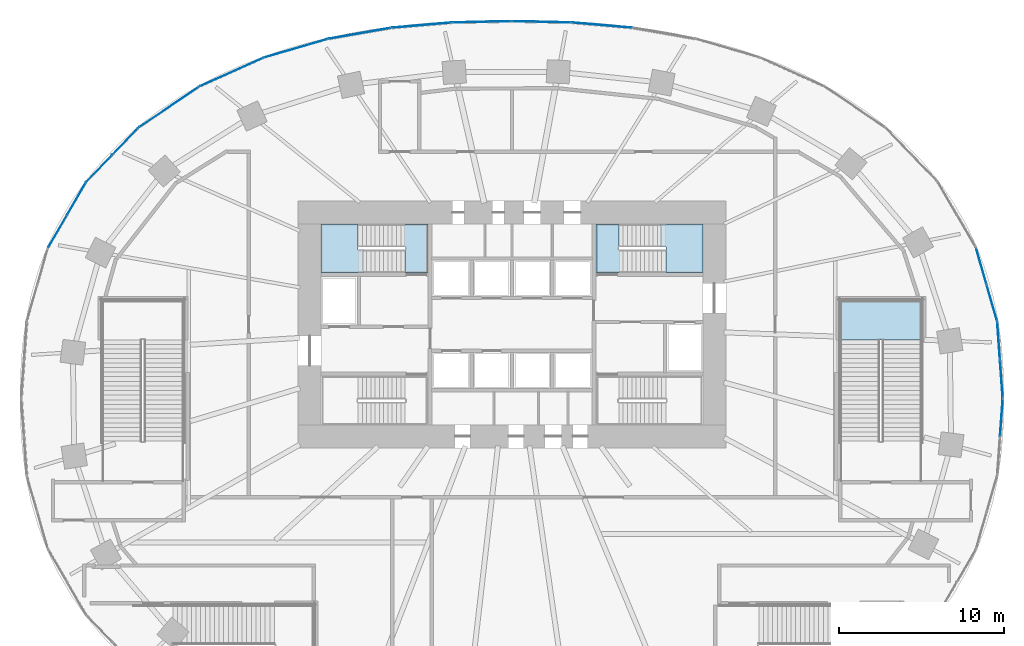
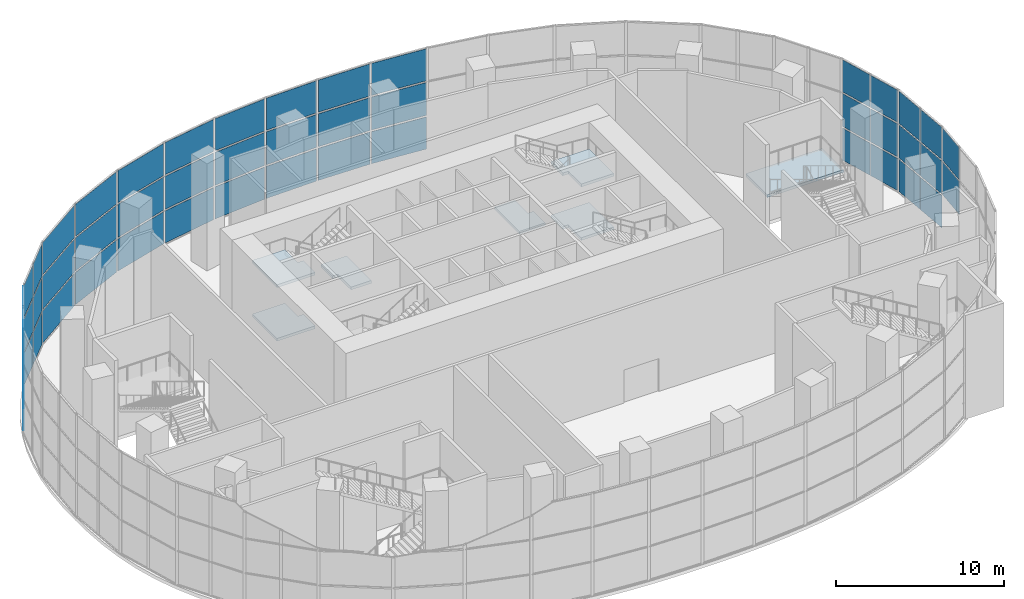
# One storey, part 12 of 22: 50 plates, 7 slabs, 16 elements without a shape of their own.
"""IFC4 building model written with IfcOpenShell, lengths in metres."""

from ifc_helpers import new_model, si_unit, direction, frame, origin, origin_2d, place, context, subcontext, project, spatial, polyline, rectangle, outline, extrude, material, layer, layer_set, type_object, element, aggregate, save


model = new_model("IFC4")

# Units and contexts
model_context = context("Model", 3, precision=1e-05, world=origin(), true_north=direction((0.0, 1.0)))
body_context = subcontext(model_context, "Body", "Model", "MODEL_VIEW")
ifc_project = project(units=[si_unit("LENGTHUNIT", "METRE"), si_unit("AREAUNIT", "SQUARE_METRE"), si_unit("VOLUMEUNIT", "CUBIC_METRE"), si_unit("PLANEANGLEUNIT", "RADIAN"), si_unit("MASSUNIT", "GRAM", prefix="KILO")], contexts=[model_context])

# Site, building, storey
site_placement = place(None, origin())
site = spatial("IfcSite", under=ifc_project, at=site_placement, CompositionType="ELEMENT")
building_placement = place(site_placement, origin())
building = spatial("IfcBuilding", under=site, at=building_placement, Name="Rubra Terraces Tower", CompositionType="ELEMENT")
storey_placement = place(building_placement, frame((0.0, 0.0, 7.199951171875)))
storey = spatial("IfcBuildingStorey", under=building, at=storey_placement, Name="L01", CompositionType="ELEMENT", Elevation=7.199951171875)

# Stair, slabs
ifc_material_1 = material(Name="Concrete C40", Category="concrete")
stair_type_1 = type_object("IfcStairType", Name="Core stair 1400", PredefinedType="HALF_TURN_STAIR", material=ifc_material_1)
stair_1_placement = place(storey_placement, origin())
stair_1 = element("IfcStair", 1, at=stair_1_placement, inside=storey, type_object=stair_type_1, Name="L01 Exit stair S2", PredefinedType="HALF_TURN_STAIR")
ifc_layer_1 = layer(ifc_material_1, 0.199951171875)
ifc_layer_set_1 = layer_set([ifc_layer_1], Name="Concrete C40")
slab_type_1 = type_object("IfcSlabType", Name="Core stair landing 200", PredefinedType="LANDING", material=ifc_layer_set_1)
slab_1_placement = place(storey_placement, frame((0.0, 0.0, 1.75)))
slab_1 = element("IfcSlab", 2, at=slab_1_placement, type_object=slab_type_1, Name="S2 landing 1", PredefinedType="LANDING", context=body_context, shape_type="SweptSolid", body=[
    extrude(outline(polyline([(-8.97998046875, 9.050048828125), (-8.97998046875, 7.64990234375), (-9.3798828125, 7.64990234375), (-11.60009765625, 7.64990234375), (-11.60009765625, 10.60009765625), (-9.3798828125, 10.60009765625), (-9.360107421875, 10.60009765625), (-9.35791015625, 10.60009765625), (-9.35791015625, 9.199951171875), (-9.360107421875, 9.199951171875), (-9.360107421875, 9.050048828125), (-8.97998046875, 9.050048828125)])), origin(), (0.0, 0.0, 1.0), 0.199951171875),
])
slab_2_placement = place(storey_placement, frame((0.0, 0.0, 3.699951171875)))
slab_2 = element("IfcSlab", 3, at=slab_2_placement, type_object=slab_type_1, Name="S2 landing 2", PredefinedType="LANDING", context=body_context, shape_type="SweptSolid", body=[
    extrude(outline(polyline([(-6.5, 9.050048828125), (-6.5, 9.199951171875), (-6.8798828125, 9.199951171875), (-6.8798828125, 10.60009765625), (-6.5, 10.60009765625), (-6.47998046875, 10.60009765625), (-5.10009765625, 10.60009765625), (-5.10009765625, 7.64990234375), (-6.47998046875, 7.64990234375), (-6.501953125, 7.64990234375), (-6.501953125, 9.050048828125), (-6.5, 9.050048828125)])), origin(), (0.0, 0.0, 1.0), 0.2001953125),
])
slab_3_placement = place(storey_placement, frame((0.0, 0.0, 5.650146484375)))
slab_3 = element("IfcSlab", 4, at=slab_3_placement, type_object=slab_type_1, Name="S2 landing 3", PredefinedType="LANDING", context=body_context, shape_type="SweptSolid", body=[
    extrude(outline(polyline([(-8.97998046875, 9.050048828125), (-8.97998046875, 7.64990234375), (-9.3798828125, 7.64990234375), (-11.60009765625, 7.64990234375), (-11.60009765625, 10.60009765625), (-9.3798828125, 10.60009765625), (-9.360107421875, 10.60009765625), (-9.35791015625, 10.60009765625), (-9.35791015625, 9.199951171875), (-9.360107421875, 9.199951171875), (-9.360107421875, 9.050048828125), (-8.97998046875, 9.050048828125)])), origin(), (0.0, 0.0, 1.0), 0.199951171875),
])
aggregate(stair_1, [slab_1, slab_2, slab_3])

stair_2_placement = place(storey_placement, origin())
stair_2 = element("IfcStair", 5, at=stair_2_placement, inside=storey, type_object=stair_type_1, Name="L01 Exit stair S3", PredefinedType="HALF_TURN_STAIR")
slab_4_placement = place(storey_placement, frame((0.0, 0.0, 1.75)))
slab_4 = element("IfcSlab", 6, at=slab_4_placement, type_object=slab_type_1, Name="S3 landing 1", PredefinedType="LANDING", context=body_context, shape_type="SweptSolid", body=[
    extrude(outline(polyline([(9.360107421875, 9.050048828125), (9.360107421875, 9.199951171875), (8.97998046875, 9.199951171875), (8.97998046875, 10.60009765625), (9.360107421875, 10.60009765625), (9.3798828125, 10.60009765625), (11.60009765625, 10.60009765625), (11.60009765625, 7.64990234375), (9.3798828125, 7.64990234375), (9.35791015625, 7.64990234375), (9.35791015625, 9.050048828125), (9.360107421875, 9.050048828125)])), origin(), (0.0, 0.0, 1.0), 0.199951171875),
])
slab_5_placement = place(storey_placement, frame((0.0, 0.0, 3.699951171875)))
slab_5 = element("IfcSlab", 7, at=slab_5_placement, type_object=slab_type_1, Name="S3 landing 2", PredefinedType="LANDING", context=body_context, shape_type="SweptSolid", body=[
    extrude(outline(polyline([(6.8798828125, 9.050048828125), (6.8798828125, 7.64990234375), (6.47998046875, 7.64990234375), (5.10009765625, 7.64990234375), (5.10009765625, 10.60009765625), (6.47998046875, 10.60009765625), (6.5, 10.60009765625), (6.501953125, 10.60009765625), (6.501953125, 9.199951171875), (6.5, 9.199951171875), (6.5, 9.050048828125), (6.8798828125, 9.050048828125)])), origin(), (0.0, 0.0, 1.0), 0.2001953125),
])
slab_6_placement = place(storey_placement, frame((0.0, 0.0, 5.650146484375)))
slab_6 = element("IfcSlab", 8, at=slab_6_placement, type_object=slab_type_1, Name="S3 landing 3", PredefinedType="LANDING", context=body_context, shape_type="SweptSolid", body=[
    extrude(outline(polyline([(9.360107421875, 9.050048828125), (9.360107421875, 9.199951171875), (8.97998046875, 9.199951171875), (8.97998046875, 10.60009765625), (9.360107421875, 10.60009765625), (9.3798828125, 10.60009765625), (11.60009765625, 10.60009765625), (11.60009765625, 7.64990234375), (9.3798828125, 7.64990234375), (9.35791015625, 7.64990234375), (9.35791015625, 9.050048828125), (9.360107421875, 9.050048828125)])), origin(), (0.0, 0.0, 1.0), 0.199951171875),
])
aggregate(stair_2, [slab_4, slab_5, slab_6])

# Curtain wall, plates
ifc_material_2 = material(Name="Aluminium and glass", Category="aluminium")
curtain_wall_type = type_object("IfcCurtainWallType", Name="Curtain wall Podium glazing", PredefinedType="NOTDEFINED", material=ifc_material_2)
curtain_wall_1_placement = place(storey_placement, origin())
curtain_wall_1 = element("IfcCurtainWall", 9, at=curtain_wall_1_placement, inside=storey, type_object=curtain_wall_type, Name="L01 glazing bay 1", PredefinedType="NOTDEFINED")
ifc_material_3 = material(Name="Clear glass, laminated", Category="glass")
ifc_layer_2 = layer(ifc_material_3, 0.028076171875)
ifc_layer_set_2 = layer_set([ifc_layer_2], Name="Clear glass, laminated")
plate_type = type_object("IfcPlateType", Name="Podium glazing glass panel 28", PredefinedType="CURTAIN_PANEL", material=ifc_layer_set_2)
plate_1_placement = place(storey_placement, frame((29.739990234375, 1.18017578125, 0.1201171875), z_axis=(0.0, 0.0, 1.0), x_axis=(-0.071792057306, 0.997419621076, 0.0)))
plate_1 = element("IfcPlate", 10, at=plate_1_placement, type_object=plate_type, Name="CW1 panel 1.1", PredefinedType="CURTAIN_PANEL", context=body_context, shape_type="SweptSolid", body=[
    extrude(rectangle(XDim=2.257080078125, YDim=0.028076171875, at=origin_2d()), origin(), (0.0, 0.0, 1.0), 2.336669921875),
])
plate_2_placement = place(storey_placement, frame((29.739990234375, 1.18017578125, 2.576904296875), z_axis=(0.0, 0.0, 1.0), x_axis=(-0.071792057306, 0.997419621076, 0.0)))
plate_2 = element("IfcPlate", 11, at=plate_2_placement, type_object=plate_type, Name="CW1 panel 1.2", PredefinedType="CURTAIN_PANEL", context=body_context, shape_type="SweptSolid", body=[
    extrude(rectangle(XDim=2.257080078125, YDim=0.028076171875, at=origin_2d()), origin(), (0.0, 0.0, 1.0), 2.396484375),
])
plate_3_placement = place(storey_placement, frame((29.739990234375, 1.18017578125, 5.09326171875), z_axis=(0.0, 0.0, 1.0), x_axis=(-0.071792057306, 0.997419621076, 0.0)))
plate_3 = element("IfcPlate", 12, at=plate_3_placement, type_object=plate_type, Name="CW1 panel 1.3", PredefinedType="CURTAIN_PANEL", context=body_context, shape_type="SweptSolid", body=[
    extrude(rectangle(XDim=2.257080078125, YDim=0.028076171875, at=origin_2d()), origin(), (0.0, 0.0, 1.0), 2.336669921875),
])
plate_4_placement = place(storey_placement, frame((29.573486328125, 3.4912109375, 0.1201171875), z_axis=(0.0, 0.0, 1.0), x_axis=(-0.071792057306, 0.997419621076, 0.0)))
plate_4 = element("IfcPlate", 13, at=plate_4_placement, type_object=plate_type, Name="CW1 panel 2.1", PredefinedType="CURTAIN_PANEL", context=body_context, shape_type="SweptSolid", body=[
    extrude(rectangle(XDim=2.257080078125, YDim=0.028076171875, at=origin_2d()), origin(), (0.0, 0.0, 1.0), 2.336669921875),
])
plate_5_placement = place(storey_placement, frame((29.573486328125, 3.4912109375, 2.576904296875), z_axis=(0.0, 0.0, 1.0), x_axis=(-0.071792057306, 0.997419621076, 0.0)))
plate_5 = element("IfcPlate", 14, at=plate_5_placement, type_object=plate_type, Name="CW1 panel 2.2", PredefinedType="CURTAIN_PANEL", context=body_context, shape_type="SweptSolid", body=[
    extrude(rectangle(XDim=2.257080078125, YDim=0.028076171875, at=origin_2d()), origin(), (0.0, 0.0, 1.0), 2.396484375),
])
plate_6_placement = place(storey_placement, frame((29.573486328125, 3.4912109375, 5.09326171875), z_axis=(0.0, 0.0, 1.0), x_axis=(-0.071792057306, 0.997419621076, 0.0)))
plate_6 = element("IfcPlate", 15, at=plate_6_placement, type_object=plate_type, Name="CW1 panel 2.3", PredefinedType="CURTAIN_PANEL", context=body_context, shape_type="SweptSolid", body=[
    extrude(rectangle(XDim=2.257080078125, YDim=0.028076171875, at=origin_2d()), origin(), (0.0, 0.0, 1.0), 2.336669921875),
])
aggregate(curtain_wall_1, [plate_1, plate_2, plate_3, plate_4, plate_5, plate_6])

curtain_wall_2_placement = place(storey_placement, origin())
curtain_wall_2 = element("IfcCurtainWall", 16, at=curtain_wall_2_placement, inside=storey, type_object=curtain_wall_type, Name="L01 glazing bay 2", PredefinedType="NOTDEFINED")
plate_7_placement = place(storey_placement, frame((29.1630859375, 5.801513671875, 0.1201171875), z_axis=(0.0, 0.0, 1.0), x_axis=(-0.276383811798, 0.961047339404, 0.0)))
plate_7 = element("IfcPlate", 17, at=plate_7_placement, type_object=plate_type, Name="CW1 panel 1.1", PredefinedType="CURTAIN_PANEL", context=body_context, shape_type="SweptSolid", body=[
    extrude(rectangle(XDim=2.252685546875, YDim=0.028076171875, at=origin_2d()), origin(), (0.0, 0.0, 1.0), 2.336669921875),
])
plate_8_placement = place(storey_placement, frame((29.1630859375, 5.801513671875, 2.576904296875), z_axis=(0.0, 0.0, 1.0), x_axis=(-0.276383811798, 0.961047339404, 0.0)))
plate_8 = element("IfcPlate", 18, at=plate_8_placement, type_object=plate_type, Name="CW1 panel 1.2", PredefinedType="CURTAIN_PANEL", context=body_context, shape_type="SweptSolid", body=[
    extrude(rectangle(XDim=2.252685546875, YDim=0.028076171875, at=origin_2d()), origin(), (0.0, 0.0, 1.0), 2.396484375),
])
plate_9_placement = place(storey_placement, frame((29.1630859375, 5.801513671875, 5.09326171875), z_axis=(0.0, 0.0, 1.0), x_axis=(-0.276383811798, 0.961047339404, 0.0)))
plate_9 = element("IfcPlate", 19, at=plate_9_placement, type_object=plate_type, Name="CW1 panel 1.3", PredefinedType="CURTAIN_PANEL", context=body_context, shape_type="SweptSolid", body=[
    extrude(rectangle(XDim=2.252685546875, YDim=0.028076171875, at=origin_2d()), origin(), (0.0, 0.0, 1.0), 2.336669921875),
])
plate_10_placement = place(storey_placement, frame((28.523681640625, 8.024169921875, 0.1201171875), z_axis=(0.0, 0.0, 1.0), x_axis=(-0.276383811798, 0.961047339404, 0.0)))
plate_10 = element("IfcPlate", 20, at=plate_10_placement, type_object=plate_type, Name="CW1 panel 2.1", PredefinedType="CURTAIN_PANEL", context=body_context, shape_type="SweptSolid", body=[
    extrude(rectangle(XDim=2.252685546875, YDim=0.028076171875, at=origin_2d()), origin(), (0.0, 0.0, 1.0), 2.336669921875),
])
plate_11_placement = place(storey_placement, frame((28.523681640625, 8.024169921875, 2.576904296875), z_axis=(0.0, 0.0, 1.0), x_axis=(-0.276383811798, 0.961047339404, 0.0)))
plate_11 = element("IfcPlate", 21, at=plate_11_placement, type_object=plate_type, Name="CW1 panel 2.2", PredefinedType="CURTAIN_PANEL", context=body_context, shape_type="SweptSolid", body=[
    extrude(rectangle(XDim=2.252685546875, YDim=0.028076171875, at=origin_2d()), origin(), (0.0, 0.0, 1.0), 2.396484375),
])
plate_12_placement = place(storey_placement, frame((28.523681640625, 8.024169921875, 5.09326171875), z_axis=(0.0, 0.0, 1.0), x_axis=(-0.276383811798, 0.961047339404, 0.0)))
plate_12 = element("IfcPlate", 22, at=plate_12_placement, type_object=plate_type, Name="CW1 panel 2.3", PredefinedType="CURTAIN_PANEL", context=body_context, shape_type="SweptSolid", body=[
    extrude(rectangle(XDim=2.252685546875, YDim=0.028076171875, at=origin_2d()), origin(), (0.0, 0.0, 1.0), 2.336669921875),
])
aggregate(curtain_wall_2, [plate_7, plate_8, plate_9, plate_10, plate_11, plate_12])

curtain_wall_3_placement = place(storey_placement, origin())
curtain_wall_3 = element("IfcCurtainWall", 23, at=curtain_wall_3_placement, inside=storey, type_object=curtain_wall_type, Name="L01 glazing bay 9", PredefinedType="NOTDEFINED")
plate_13_placement = place(storey_placement, frame((5.47998046875, 22.686279296875, 0.1201171875), z_axis=(0.0, 0.0, 1.0), x_axis=(-0.996260697637, 0.08639804595, 0.0)))
plate_13 = element("IfcPlate", 24, at=plate_13_placement, type_object=plate_type, Name="CW1 panel 1.1", PredefinedType="CURTAIN_PANEL", context=body_context, shape_type="SweptSolid", body=[
    extrude(rectangle(XDim=3.60693359375, YDim=0.028076171875, at=origin_2d()), origin(), (0.0, 0.0, 1.0), 2.336669921875),
])
plate_14_placement = place(storey_placement, frame((5.47998046875, 22.686279296875, 2.576904296875), z_axis=(0.0, 0.0, 1.0), x_axis=(-0.996260697637, 0.08639804595, 0.0)))
plate_14 = element("IfcPlate", 25, at=plate_14_placement, type_object=plate_type, Name="CW1 panel 1.2", PredefinedType="CURTAIN_PANEL", context=body_context, shape_type="SweptSolid", body=[
    extrude(rectangle(XDim=3.60693359375, YDim=0.028076171875, at=origin_2d()), origin(), (0.0, 0.0, 1.0), 2.396484375),
])
plate_15_placement = place(storey_placement, frame((5.47998046875, 22.686279296875, 5.09326171875), z_axis=(0.0, 0.0, 1.0), x_axis=(-0.996260697637, 0.08639804595, 0.0)))
plate_15 = element("IfcPlate", 26, at=plate_15_placement, type_object=plate_type, Name="CW1 panel 1.3", PredefinedType="CURTAIN_PANEL", context=body_context, shape_type="SweptSolid", body=[
    extrude(rectangle(XDim=3.60693359375, YDim=0.028076171875, at=origin_2d()), origin(), (0.0, 0.0, 1.0), 2.336669921875),
])
aggregate(curtain_wall_3, [plate_13, plate_14, plate_15])

curtain_wall_4_placement = place(storey_placement, origin())
curtain_wall_4 = element("IfcCurtainWall", 27, at=curtain_wall_4_placement, inside=storey, type_object=curtain_wall_type, Name="L01 glazing bay 10", PredefinedType="NOTDEFINED")
plate_16_placement = place(storey_placement, frame((1.8134765625, 22.885986328125, 0.1201171875), z_axis=(0.0, 0.0, 1.0), x_axis=(-0.999769221365, 0.021482644428, 0.0)))
plate_16 = element("IfcPlate", 28, at=plate_16_placement, type_object=plate_type, Name="CW1 panel 1.1", PredefinedType="CURTAIN_PANEL", context=body_context, shape_type="SweptSolid", body=[
    extrude(rectangle(XDim=3.5107421875, YDim=0.028076171875, at=origin_2d()), origin(), (0.0, 0.0, 1.0), 2.336669921875),
])
plate_17_placement = place(storey_placement, frame((1.8134765625, 22.885986328125, 2.576904296875), z_axis=(0.0, 0.0, 1.0), x_axis=(-0.999769221365, 0.021482644428, 0.0)))
plate_17 = element("IfcPlate", 29, at=plate_17_placement, type_object=plate_type, Name="CW1 panel 1.2", PredefinedType="CURTAIN_PANEL", context=body_context, shape_type="SweptSolid", body=[
    extrude(rectangle(XDim=3.5107421875, YDim=0.028076171875, at=origin_2d()), origin(), (0.0, 0.0, 1.0), 2.396484375),
])
plate_18_placement = place(storey_placement, frame((1.8134765625, 22.885986328125, 5.09326171875), z_axis=(0.0, 0.0, 1.0), x_axis=(-0.999769221365, 0.021482644428, 0.0)))
plate_18 = element("IfcPlate", 30, at=plate_18_placement, type_object=plate_type, Name="CW1 panel 1.3", PredefinedType="CURTAIN_PANEL", context=body_context, shape_type="SweptSolid", body=[
    extrude(rectangle(XDim=3.5107421875, YDim=0.028076171875, at=origin_2d()), origin(), (0.0, 0.0, 1.0), 2.336669921875),
])
aggregate(curtain_wall_4, [plate_16, plate_17, plate_18])

curtain_wall_5_placement = place(storey_placement, origin())
curtain_wall_5 = element("IfcCurtainWall", 31, at=curtain_wall_5_placement, inside=storey, type_object=curtain_wall_type, Name="L01 glazing bay 11", PredefinedType="NOTDEFINED")
plate_19_placement = place(storey_placement, frame((-1.8134765625, 22.885986328125, 0.1201171875), z_axis=(0.0, 0.0, 1.0), x_axis=(-0.999769221365, -0.021482644428, 0.0)))
plate_19 = element("IfcPlate", 32, at=plate_19_placement, type_object=plate_type, Name="CW1 panel 1.1", PredefinedType="CURTAIN_PANEL", context=body_context, shape_type="SweptSolid", body=[
    extrude(rectangle(XDim=3.5107421875, YDim=0.028076171875, at=origin_2d()), origin(), (0.0, 0.0, 1.0), 2.336669921875),
])
plate_20_placement = place(storey_placement, frame((-1.8134765625, 22.885986328125, 2.576904296875), z_axis=(0.0, 0.0, 1.0), x_axis=(-0.999769221365, -0.021482644428, 0.0)))
plate_20 = element("IfcPlate", 33, at=plate_20_placement, type_object=plate_type, Name="CW1 panel 1.2", PredefinedType="CURTAIN_PANEL", context=body_context, shape_type="SweptSolid", body=[
    extrude(rectangle(XDim=3.5107421875, YDim=0.028076171875, at=origin_2d()), origin(), (0.0, 0.0, 1.0), 2.396484375),
])
plate_21_placement = place(storey_placement, frame((-1.8134765625, 22.885986328125, 5.09326171875), z_axis=(0.0, 0.0, 1.0), x_axis=(-0.999769221365, -0.021482644428, 0.0)))
plate_21 = element("IfcPlate", 34, at=plate_21_placement, type_object=plate_type, Name="CW1 panel 1.3", PredefinedType="CURTAIN_PANEL", context=body_context, shape_type="SweptSolid", body=[
    extrude(rectangle(XDim=3.5107421875, YDim=0.028076171875, at=origin_2d()), origin(), (0.0, 0.0, 1.0), 2.336669921875),
])
aggregate(curtain_wall_5, [plate_19, plate_20, plate_21])

curtain_wall_6_placement = place(storey_placement, origin())
curtain_wall_6 = element("IfcCurtainWall", 35, at=curtain_wall_6_placement, inside=storey, type_object=curtain_wall_type, Name="L01 glazing bay 12", PredefinedType="NOTDEFINED")
plate_22_placement = place(storey_placement, frame((-5.47998046875, 22.686279296875, 0.1201171875), z_axis=(0.0, 0.0, 1.0), x_axis=(-0.996260697637, -0.08639804595, 0.0)))
plate_22 = element("IfcPlate", 36, at=plate_22_placement, type_object=plate_type, Name="CW1 panel 1.1", PredefinedType="CURTAIN_PANEL", context=body_context, shape_type="SweptSolid", body=[
    extrude(rectangle(XDim=3.60693359375, YDim=0.028076171875, at=origin_2d()), origin(), (0.0, 0.0, 1.0), 2.336669921875),
])
plate_23_placement = place(storey_placement, frame((-5.47998046875, 22.686279296875, 2.576904296875), z_axis=(0.0, 0.0, 1.0), x_axis=(-0.996260697637, -0.08639804595, 0.0)))
plate_23 = element("IfcPlate", 37, at=plate_23_placement, type_object=plate_type, Name="CW1 panel 1.2", PredefinedType="CURTAIN_PANEL", context=body_context, shape_type="SweptSolid", body=[
    extrude(rectangle(XDim=3.60693359375, YDim=0.028076171875, at=origin_2d()), origin(), (0.0, 0.0, 1.0), 2.396484375),
])
plate_24_placement = place(storey_placement, frame((-5.47998046875, 22.686279296875, 5.09326171875), z_axis=(0.0, 0.0, 1.0), x_axis=(-0.996260697637, -0.08639804595, 0.0)))
plate_24 = element("IfcPlate", 38, at=plate_24_placement, type_object=plate_type, Name="CW1 panel 1.3", PredefinedType="CURTAIN_PANEL", context=body_context, shape_type="SweptSolid", body=[
    extrude(rectangle(XDim=3.60693359375, YDim=0.028076171875, at=origin_2d()), origin(), (0.0, 0.0, 1.0), 2.336669921875),
])
aggregate(curtain_wall_6, [plate_22, plate_23, plate_24])

curtain_wall_7_placement = place(storey_placement, origin())
curtain_wall_7 = element("IfcCurtainWall", 39, at=curtain_wall_7_placement, inside=storey, type_object=curtain_wall_type, Name="L01 glazing bay 13", PredefinedType="NOTDEFINED")
plate_25_placement = place(storey_placement, frame((-9.2451171875, 22.190185546875, 0.1201171875), z_axis=(0.0, 0.0, 1.0), x_axis=(-0.984953952909, -0.172816985997, 0.0)))
plate_25 = element("IfcPlate", 40, at=plate_25_placement, type_object=plate_type, Name="CW1 panel 1.1", PredefinedType="CURTAIN_PANEL", context=body_context, shape_type="SweptSolid", body=[
    extrude(rectangle(XDim=3.7685546875, YDim=0.028076171875, at=origin_2d()), origin(), (0.0, 0.0, 1.0), 2.336669921875),
])
plate_26_placement = place(storey_placement, frame((-9.2451171875, 22.190185546875, 2.576904296875), z_axis=(0.0, 0.0, 1.0), x_axis=(-0.984953952909, -0.172816985997, 0.0)))
plate_26 = element("IfcPlate", 41, at=plate_26_placement, type_object=plate_type, Name="CW1 panel 1.2", PredefinedType="CURTAIN_PANEL", context=body_context, shape_type="SweptSolid", body=[
    extrude(rectangle(XDim=3.7685546875, YDim=0.028076171875, at=origin_2d()), origin(), (0.0, 0.0, 1.0), 2.396484375),
])
plate_27_placement = place(storey_placement, frame((-9.2451171875, 22.190185546875, 5.09326171875), z_axis=(0.0, 0.0, 1.0), x_axis=(-0.984953952909, -0.172816985997, 0.0)))
plate_27 = element("IfcPlate", 42, at=plate_27_placement, type_object=plate_type, Name="CW1 panel 1.3", PredefinedType="CURTAIN_PANEL", context=body_context, shape_type="SweptSolid", body=[
    extrude(rectangle(XDim=3.7685546875, YDim=0.028076171875, at=origin_2d()), origin(), (0.0, 0.0, 1.0), 2.336669921875),
])
aggregate(curtain_wall_7, [plate_25, plate_26, plate_27])

curtain_wall_8_placement = place(storey_placement, origin())
curtain_wall_8 = element("IfcCurtainWall", 43, at=curtain_wall_8_placement, inside=storey, type_object=curtain_wall_type, Name="L01 glazing bay 14", PredefinedType="NOTDEFINED")
plate_28_placement = place(storey_placement, frame((-13.115966796875, 21.284423828125, 0.1201171875), z_axis=(0.0, 0.0, 1.0), x_axis=(-0.96017502931, -0.279399200229, 0.0)))
plate_28 = element("IfcPlate", 44, at=plate_28_placement, type_object=plate_type, Name="CW1 panel 1.1", PredefinedType="CURTAIN_PANEL", context=body_context, shape_type="SweptSolid", body=[
    extrude(rectangle(XDim=3.970947265625, YDim=0.028076171875, at=origin_2d()), origin(), (0.0, 0.0, 1.0), 2.336669921875),
])
plate_29_placement = place(storey_placement, frame((-13.115966796875, 21.284423828125, 2.576904296875), z_axis=(0.0, 0.0, 1.0), x_axis=(-0.96017502931, -0.279399200229, 0.0)))
plate_29 = element("IfcPlate", 45, at=plate_29_placement, type_object=plate_type, Name="CW1 panel 1.2", PredefinedType="CURTAIN_PANEL", context=body_context, shape_type="SweptSolid", body=[
    extrude(rectangle(XDim=3.970947265625, YDim=0.028076171875, at=origin_2d()), origin(), (0.0, 0.0, 1.0), 2.396484375),
])
plate_30_placement = place(storey_placement, frame((-13.115966796875, 21.284423828125, 5.09326171875), z_axis=(0.0, 0.0, 1.0), x_axis=(-0.96017502931, -0.279399200229, 0.0)))
plate_30 = element("IfcPlate", 46, at=plate_30_placement, type_object=plate_type, Name="CW1 panel 1.3", PredefinedType="CURTAIN_PANEL", context=body_context, shape_type="SweptSolid", body=[
    extrude(rectangle(XDim=3.970947265625, YDim=0.028076171875, at=origin_2d()), origin(), (0.0, 0.0, 1.0), 2.336669921875),
])
aggregate(curtain_wall_8, [plate_28, plate_29, plate_30])

curtain_wall_9_placement = place(storey_placement, origin())
curtain_wall_9 = element("IfcCurtainWall", 47, at=curtain_wall_9_placement, inside=storey, type_object=curtain_wall_type, Name="L01 glazing bay 15", PredefinedType="NOTDEFINED")
plate_31_placement = place(storey_placement, frame((-17.03271484375, 19.837158203125, 0.1201171875), z_axis=(0.0, 0.0, 1.0), x_axis=(-0.912551215254, -0.4089624427, 0.0)))
plate_31 = element("IfcPlate", 48, at=plate_31_placement, type_object=plate_type, Name="CW1 panel 1.1", PredefinedType="CURTAIN_PANEL", context=body_context, shape_type="SweptSolid", body=[
    extrude(rectangle(XDim=4.18115234375, YDim=0.028076171875, at=origin_2d()), origin(), (0.0, 0.0, 1.0), 2.336669921875),
])
plate_32_placement = place(storey_placement, frame((-17.03271484375, 19.837158203125, 2.576904296875), z_axis=(0.0, 0.0, 1.0), x_axis=(-0.912551215254, -0.4089624427, 0.0)))
plate_32 = element("IfcPlate", 49, at=plate_32_placement, type_object=plate_type, Name="CW1 panel 1.2", PredefinedType="CURTAIN_PANEL", context=body_context, shape_type="SweptSolid", body=[
    extrude(rectangle(XDim=4.18115234375, YDim=0.028076171875, at=origin_2d()), origin(), (0.0, 0.0, 1.0), 2.396484375),
])
plate_33_placement = place(storey_placement, frame((-17.03271484375, 19.837158203125, 5.09326171875), z_axis=(0.0, 0.0, 1.0), x_axis=(-0.912551215254, -0.4089624427, 0.0)))
plate_33 = element("IfcPlate", 50, at=plate_33_placement, type_object=plate_type, Name="CW1 panel 1.3", PredefinedType="CURTAIN_PANEL", context=body_context, shape_type="SweptSolid", body=[
    extrude(rectangle(XDim=4.18115234375, YDim=0.028076171875, at=origin_2d()), origin(), (0.0, 0.0, 1.0), 2.336669921875),
])
aggregate(curtain_wall_9, [plate_31, plate_32, plate_33])

curtain_wall_10_placement = place(storey_placement, origin())
curtain_wall_10 = element("IfcCurtainWall", 51, at=curtain_wall_10_placement, inside=storey, type_object=curtain_wall_type, Name="L01 glazing bay 16", PredefinedType="NOTDEFINED")
plate_34_placement = place(storey_placement, frame((-20.840576171875, 17.711181640625, 0.1201171875), z_axis=(0.0, 0.0, 1.0), x_axis=(-0.828980654031, -0.55927727939, 0.0)))
plate_34 = element("IfcPlate", 52, at=plate_34_placement, type_object=plate_type, Name="CW1 panel 1.1", PredefinedType="CURTAIN_PANEL", context=body_context, shape_type="SweptSolid", body=[
    extrude(rectangle(XDim=4.35888671875, YDim=0.028076171875, at=origin_2d()), origin(), (0.0, 0.0, 1.0), 2.336669921875),
])
plate_35_placement = place(storey_placement, frame((-20.840576171875, 17.711181640625, 2.576904296875), z_axis=(0.0, 0.0, 1.0), x_axis=(-0.828980654031, -0.55927727939, 0.0)))
plate_35 = element("IfcPlate", 53, at=plate_35_placement, type_object=plate_type, Name="CW1 panel 1.2", PredefinedType="CURTAIN_PANEL", context=body_context, shape_type="SweptSolid", body=[
    extrude(rectangle(XDim=4.35888671875, YDim=0.028076171875, at=origin_2d()), origin(), (0.0, 0.0, 1.0), 2.396484375),
])
plate_36_placement = place(storey_placement, frame((-20.840576171875, 17.711181640625, 5.09326171875), z_axis=(0.0, 0.0, 1.0), x_axis=(-0.828980654031, -0.55927727939, 0.0)))
plate_36 = element("IfcPlate", 54, at=plate_36_placement, type_object=plate_type, Name="CW1 panel 1.3", PredefinedType="CURTAIN_PANEL", context=body_context, shape_type="SweptSolid", body=[
    extrude(rectangle(XDim=4.35888671875, YDim=0.028076171875, at=origin_2d()), origin(), (0.0, 0.0, 1.0), 2.336669921875),
])
aggregate(curtain_wall_10, [plate_34, plate_35, plate_36])

curtain_wall_11_placement = place(storey_placement, origin())
curtain_wall_11 = element("IfcCurtainWall", 55, at=curtain_wall_11_placement, inside=storey, type_object=curtain_wall_type, Name="L01 glazing bay 17", PredefinedType="NOTDEFINED")
plate_37_placement = place(storey_placement, frame((-23.4931640625, 15.630859375, 0.1201171875), z_axis=(0.0, 0.0, 1.0), x_axis=(-0.69415569917, -0.71982488517, 0.0)))
plate_37 = element("IfcPlate", 56, at=plate_37_placement, type_object=plate_type, Name="CW1 panel 1.1", PredefinedType="CURTAIN_PANEL", context=body_context, shape_type="SweptSolid", body=[
    extrude(rectangle(XDim=2.20849609375, YDim=0.028076171875, at=origin_2d()), origin(), (0.0, 0.0, 1.0), 2.336669921875),
])
plate_38_placement = place(storey_placement, frame((-23.4931640625, 15.630859375, 2.576904296875), z_axis=(0.0, 0.0, 1.0), x_axis=(-0.69415569917, -0.71982488517, 0.0)))
plate_38 = element("IfcPlate", 57, at=plate_38_placement, type_object=plate_type, Name="CW1 panel 1.2", PredefinedType="CURTAIN_PANEL", context=body_context, shape_type="SweptSolid", body=[
    extrude(rectangle(XDim=2.20849609375, YDim=0.028076171875, at=origin_2d()), origin(), (0.0, 0.0, 1.0), 2.396484375),
])
plate_39_placement = place(storey_placement, frame((-23.4931640625, 15.630859375, 5.09326171875), z_axis=(0.0, 0.0, 1.0), x_axis=(-0.69415569917, -0.71982488517, 0.0)))
plate_39 = element("IfcPlate", 58, at=plate_39_placement, type_object=plate_type, Name="CW1 panel 1.3", PredefinedType="CURTAIN_PANEL", context=body_context, shape_type="SweptSolid", body=[
    extrude(rectangle(XDim=2.20849609375, YDim=0.028076171875, at=origin_2d()), origin(), (0.0, 0.0, 1.0), 2.336669921875),
])
plate_40_placement = place(storey_placement, frame((-25.06787109375, 13.998046875, 0.1201171875), z_axis=(0.0, 0.0, 1.0), x_axis=(-0.69415569917, -0.71982488517, 0.0)))
plate_40 = element("IfcPlate", 59, at=plate_40_placement, type_object=plate_type, Name="CW1 panel 2.1", PredefinedType="CURTAIN_PANEL", context=body_context, shape_type="SweptSolid", body=[
    extrude(rectangle(XDim=2.20849609375, YDim=0.028076171875, at=origin_2d()), origin(), (0.0, 0.0, 1.0), 2.336669921875),
])
plate_41_placement = place(storey_placement, frame((-25.06787109375, 13.998046875, 2.576904296875), z_axis=(0.0, 0.0, 1.0), x_axis=(-0.69415569917, -0.71982488517, 0.0)))
plate_41 = element("IfcPlate", 60, at=plate_41_placement, type_object=plate_type, Name="CW1 panel 2.2", PredefinedType="CURTAIN_PANEL", context=body_context, shape_type="SweptSolid", body=[
    extrude(rectangle(XDim=2.20849609375, YDim=0.028076171875, at=origin_2d()), origin(), (0.0, 0.0, 1.0), 2.396484375),
])
plate_42_placement = place(storey_placement, frame((-25.06787109375, 13.998046875, 5.09326171875), z_axis=(0.0, 0.0, 1.0), x_axis=(-0.69415569917, -0.71982488517, 0.0)))
plate_42 = element("IfcPlate", 61, at=plate_42_placement, type_object=plate_type, Name="CW1 panel 2.3", PredefinedType="CURTAIN_PANEL", context=body_context, shape_type="SweptSolid", body=[
    extrude(rectangle(XDim=2.20849609375, YDim=0.028076171875, at=origin_2d()), origin(), (0.0, 0.0, 1.0), 2.336669921875),
])
aggregate(curtain_wall_11, [plate_37, plate_38, plate_39, plate_40, plate_41, plate_42])

curtain_wall_12_placement = place(storey_placement, origin())
curtain_wall_12 = element("IfcCurtainWall", 62, at=curtain_wall_12_placement, inside=storey, type_object=curtain_wall_type, Name="L01 glazing bay 18", PredefinedType="NOTDEFINED")
plate_43_placement = place(storey_placement, frame((-26.45703125, 12.154541015625, 0.1201171875), z_axis=(0.0, 0.0, 1.0), x_axis=(-0.502094070187, -0.864813011398, 0.0)))
plate_43 = element("IfcPlate", 63, at=plate_43_placement, type_object=plate_type, Name="CW1 panel 1.1", PredefinedType="CURTAIN_PANEL", context=body_context, shape_type="SweptSolid", body=[
    extrude(rectangle(XDim=2.23828125, YDim=0.028076171875, at=origin_2d()), origin(), (0.0, 0.0, 1.0), 2.336669921875),
])
plate_44_placement = place(storey_placement, frame((-26.45703125, 12.154541015625, 2.576904296875), z_axis=(0.0, 0.0, 1.0), x_axis=(-0.502094070187, -0.864813011398, 0.0)))
plate_44 = element("IfcPlate", 64, at=plate_44_placement, type_object=plate_type, Name="CW1 panel 1.2", PredefinedType="CURTAIN_PANEL", context=body_context, shape_type="SweptSolid", body=[
    extrude(rectangle(XDim=2.23828125, YDim=0.028076171875, at=origin_2d()), origin(), (0.0, 0.0, 1.0), 2.396484375),
])
plate_45_placement = place(storey_placement, frame((-26.45703125, 12.154541015625, 5.09326171875), z_axis=(0.0, 0.0, 1.0), x_axis=(-0.502094070187, -0.864813011398, 0.0)))
plate_45 = element("IfcPlate", 65, at=plate_45_placement, type_object=plate_type, Name="CW1 panel 1.3", PredefinedType="CURTAIN_PANEL", context=body_context, shape_type="SweptSolid", body=[
    extrude(rectangle(XDim=2.23828125, YDim=0.028076171875, at=origin_2d()), origin(), (0.0, 0.0, 1.0), 2.336669921875),
])
plate_46_placement = place(storey_placement, frame((-27.611083984375, 10.1669921875, 0.1201171875), z_axis=(0.0, 0.0, 1.0), x_axis=(-0.502094070187, -0.864813011398, 0.0)))
plate_46 = element("IfcPlate", 66, at=plate_46_placement, type_object=plate_type, Name="CW1 panel 2.1", PredefinedType="CURTAIN_PANEL", context=body_context, shape_type="SweptSolid", body=[
    extrude(rectangle(XDim=2.23828125, YDim=0.028076171875, at=origin_2d()), origin(), (0.0, 0.0, 1.0), 2.336669921875),
])
plate_47_placement = place(storey_placement, frame((-27.611083984375, 10.1669921875, 2.576904296875), z_axis=(0.0, 0.0, 1.0), x_axis=(-0.502094070187, -0.864813011398, 0.0)))
plate_47 = element("IfcPlate", 67, at=plate_47_placement, type_object=plate_type, Name="CW1 panel 2.2", PredefinedType="CURTAIN_PANEL", context=body_context, shape_type="SweptSolid", body=[
    extrude(rectangle(XDim=2.23828125, YDim=0.028076171875, at=origin_2d()), origin(), (0.0, 0.0, 1.0), 2.396484375),
])
plate_48_placement = place(storey_placement, frame((-27.611083984375, 10.1669921875, 5.09326171875), z_axis=(0.0, 0.0, 1.0), x_axis=(-0.502094070187, -0.864813011398, 0.0)))
plate_48 = element("IfcPlate", 68, at=plate_48_placement, type_object=plate_type, Name="CW1 panel 2.3", PredefinedType="CURTAIN_PANEL", context=body_context, shape_type="SweptSolid", body=[
    extrude(rectangle(XDim=2.23828125, YDim=0.028076171875, at=origin_2d()), origin(), (0.0, 0.0, 1.0), 2.336669921875),
])
aggregate(curtain_wall_12, [plate_43, plate_44, plate_45, plate_46, plate_47, plate_48])

curtain_wall_13_placement = place(storey_placement, origin())
curtain_wall_13 = element("IfcCurtainWall", 69, at=curtain_wall_13_placement, inside=storey, type_object=curtain_wall_type, Name="L01 glazing bay 40", PredefinedType="NOTDEFINED")
plate_49_placement = place(storey_placement, frame((29.739990234375, -1.18017578125, 2.576904296875), z_axis=(0.0, 0.0, 1.0), x_axis=(0.071792057306, 0.997419621076, 0.0)))
plate_49 = element("IfcPlate", 70, at=plate_49_placement, type_object=plate_type, Name="CW1 panel 2.2", PredefinedType="CURTAIN_PANEL", context=body_context, shape_type="SweptSolid", body=[
    extrude(rectangle(XDim=2.257080078125, YDim=0.028076171875, at=origin_2d()), origin(), (0.0, 0.0, 1.0), 2.396484375),
])
plate_50_placement = place(storey_placement, frame((29.739990234375, -1.18017578125, 5.09326171875), z_axis=(0.0, 0.0, 1.0), x_axis=(0.071792057306, 0.997419621076, 0.0)))
plate_50 = element("IfcPlate", 71, at=plate_50_placement, type_object=plate_type, Name="CW1 panel 2.3", PredefinedType="CURTAIN_PANEL", context=body_context, shape_type="SweptSolid", body=[
    extrude(rectangle(XDim=2.257080078125, YDim=0.028076171875, at=origin_2d()), origin(), (0.0, 0.0, 1.0), 2.336669921875),
])
aggregate(curtain_wall_13, [plate_49, plate_50])

# Stair, slab
ifc_material_4 = material(Name="Concrete C40/50", Category="concrete")
stair_type_2 = type_object("IfcStairType", Name="Public stair", PredefinedType="HALF_TURN_STAIR", material=ifc_material_4)
stair_3_placement = place(storey_placement, origin())
stair_3 = element("IfcStair", 72, at=stair_3_placement, inside=storey, type_object=stair_type_2, Name="L01 public stair PS2", PredefinedType="HALF_TURN_STAIR")
ifc_layer_3 = layer(ifc_material_4, 0.199951171875)
ifc_layer_set_3 = layer_set([ifc_layer_3], Name="Concrete C40/50")
slab_type_2 = type_object("IfcSlabType", Name="Public stair landing 200", PredefinedType="LANDING", material=ifc_layer_set_3)
slab_7_placement = place(storey_placement, frame((0.0, 0.0, 3.699951171875)))
slab_7 = element("IfcSlab", 73, at=slab_7_placement, type_object=slab_type_2, Name="PS2 landing 1", PredefinedType="LANDING", context=body_context, shape_type="SweptSolid", body=[
    extrude(outline(polyline([(19.800048828125, 3.56005859375), (25.050048828125, 3.56005859375), (25.050048828125, 6.110107421875), (19.800048828125, 6.110107421875), (19.800048828125, 3.56005859375)])), origin(), (0.0, 0.0, 1.0), 0.2001953125),
])
aggregate(stair_3, [slab_7])

save(model, "model.ifc")
